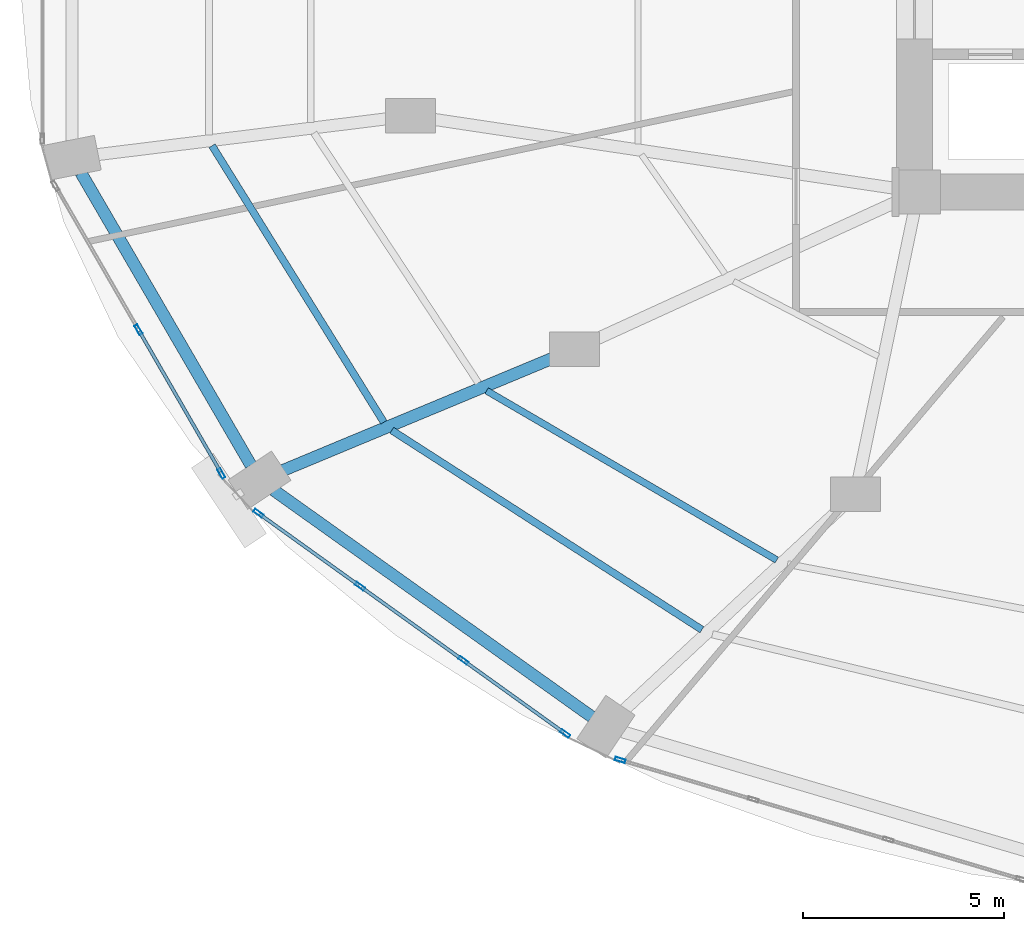
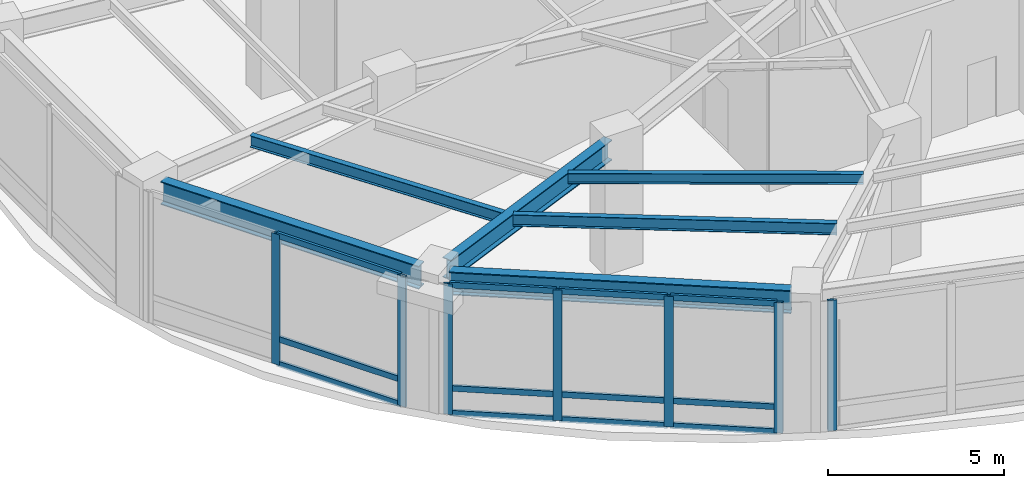
# One storey, part 2 of 24: 19 members, 6 beams, 3 elements without a shape of their own.
"""IFC4 building model written with IfcOpenShell, lengths in metres."""

import ifcopenshell
import ifcopenshell.guid

model = None  # the IFC model being written
_history = None  # IfcOwnerHistory: only IFC2X3 demands one
_inside = {}  # id of a spatial element -> (the spatial element, [elements in it])
_under = {}  # id of a project, library or spatial element -> (it, [spatial elements below it])
_declared = {}  # id of a project -> (the project, [libraries it declares])
_typed = {}  # id of a type object -> (the type object, [elements of that type])
_made_of = {}  # id of a material, layer set ... -> (it, [elements and type objects made of it])


def new_model(schema):
    """Start an empty IFC model of exactly this schema.

    Asked for "IFC4X3", IfcOpenShell would pick the latest addendum, in which some entities
    have other attributes; the version numbers below select the first issue.
    IFC2X3 requires an IfcOwnerHistory on every rooted entity: one is made here for all.
    """
    global model, _history
    if schema == "IFC4X3":
        model = ifcopenshell.file(schema_version=(4, 3, 0, 0))
    else:
        model = ifcopenshell.file(schema=schema)
    _inside.clear()
    _under.clear()
    _declared.clear()
    _typed.clear()
    _made_of.clear()
    _history = None
    if model.schema == "IFC2X3":
        org = make("IfcOrganization", Name="unknown")
        user = make(
            "IfcPersonAndOrganization",
            ThePerson=make("IfcPerson", FamilyName="unknown"),
            TheOrganization=org,
        )
        app = make(
            "IfcApplication",
            ApplicationDeveloper=org,
            Version="unknown",
            ApplicationFullName="unknown",
            ApplicationIdentifier="unknown",
        )
        _history = make(
            "IfcOwnerHistory",
            OwningUser=user,
            OwningApplication=app,
            ChangeAction="ADDED",
            CreationDate=0,
        )
    return model


def make(cls, **values):
    """One entity of the class cls with the attributes given. An attribute that is None is left unset."""
    return model.create_entity(
        cls, **{name: value for name, value in values.items() if value is not None}
    )


def rooted(cls, **values):
    """An entity with a GlobalId (a new one), such as an element, a storey or a relation."""
    return make(cls, GlobalId=ifcopenshell.guid.new(), OwnerHistory=_history, **values)


def si_unit(unit_type, name, prefix=None):
    """IfcSIUnit, for example si_unit("LENGTHUNIT", "METRE", prefix="MILLI")."""
    return make("IfcSIUnit", UnitType=unit_type, Prefix=prefix, Name=name)


def assignment(units):
    """IfcUnitAssignment: the units of a project."""
    return None if units is None else make("IfcUnitAssignment", Units=units)


def point(xyz):
    """IfcCartesianPoint."""
    return None if xyz is None else make("IfcCartesianPoint", Coordinates=xyz)


def direction(xyz):
    """IfcDirection."""
    return None if xyz is None else make("IfcDirection", DirectionRatios=xyz)


def frame(location, z_axis=None, x_axis=None):
    """IfcAxis2Placement3D, a coordinate frame: its origin and axes. An axis left out is left unset."""
    return make(
        "IfcAxis2Placement3D",
        Location=point(location),
        Axis=direction(z_axis),
        RefDirection=direction(x_axis),
    )


def frame_2d(location, x_axis=None):
    """IfcAxis2Placement2D, a coordinate frame in the plane: its origin and x axis."""
    return make(
        "IfcAxis2Placement2D", Location=point(location), RefDirection=direction(x_axis)
    )


def origin():
    """The frame at (0, 0, 0) with its axes left unset."""
    return frame((0.0, 0.0, 0.0))


def origin_2d():
    """The frame at (0, 0) in the plane with its x axis left unset."""
    return frame_2d((0.0, 0.0))


def place(relative_to, where):
    """IfcLocalPlacement: puts the frame where relative to a parent placement (None: the world)."""
    return make(
        "IfcLocalPlacement", PlacementRelTo=relative_to, RelativePlacement=where
    )


def context(
    kind, dimensions, precision=None, world=None, true_north=None, identifier=None
):
    """IfcGeometricRepresentationContext, for example the 3D "Model" context."""
    return make(
        "IfcGeometricRepresentationContext",
        ContextIdentifier=identifier,
        ContextType=kind,
        CoordinateSpaceDimension=dimensions,
        Precision=precision,
        WorldCoordinateSystem=world,
        TrueNorth=true_north,
    )


def subcontext(parent, identifier, kind, view, scale=None):
    """IfcGeometricRepresentationSubContext, for example "Body" below "Model"."""
    return make(
        "IfcGeometricRepresentationSubContext",
        ContextIdentifier=identifier,
        ContextType=kind,
        ParentContext=parent,
        TargetScale=scale,
        TargetView=view,
    )


def project(units=None, contexts=None):
    """IfcProject with its units and contexts."""
    return rooted(
        "IfcProject",
        Name="project",
        RepresentationContexts=contexts,
        UnitsInContext=assignment(units),
    )


def spatial(cls, under=None, at=None, **own):
    """A site, building, storey or space (cls), placed at a placement, below another one or the project."""
    s = rooted(cls, ObjectPlacement=at, **own)
    if under is not None:
        _under.setdefault(under.id(), (under, []))[1].append(s)
    return s


def profile(cls, at=None, kind="AREA", **sizes):
    """A parametric profile (cls). Its sizes go by their IFC names, for example OverallWidth=200.0."""
    return make(cls, ProfileType=kind, Position=at, **sizes)


def hollow_rectangle(**sizes):
    """IfcRectangleHollowProfileDef."""
    return profile("IfcRectangleHollowProfileDef", **sizes)


def i_section(**sizes):
    """IfcIShapeProfileDef."""
    return profile("IfcIShapeProfileDef", **sizes)


def extrude(swept, where, along, depth):
    """IfcExtrudedAreaSolid: the profile swept, set in the frame where, extruded along a direction by depth."""
    return make(
        "IfcExtrudedAreaSolid",
        SweptArea=swept,
        Position=where,
        ExtrudedDirection=direction(along),
        Depth=depth,
    )


def shape(context_of_items, identifier, shape_type, items):
    """IfcShapeRepresentation: the items that make up one representation, for example the "Body"."""
    return make(
        "IfcShapeRepresentation",
        ContextOfItems=context_of_items,
        RepresentationIdentifier=identifier,
        RepresentationType=shape_type,
        Items=items,
    )


def material(Name=None, Category=None):
    """IfcMaterial."""
    return make("IfcMaterial", Name=Name, Category=Category)


def layer(
    of_material, thickness, ventilated=None, Name=None, Category=None, Priority=None
):
    """IfcMaterialLayer: one layer of a wall or slab, of a material (None: an air gap)."""
    return make(
        "IfcMaterialLayer",
        Material=of_material,
        LayerThickness=thickness,
        IsVentilated=ventilated,
        Name=Name,
        Category=Category,
        Priority=Priority,
    )


def layer_set(layers, Name=None):
    """IfcMaterialLayerSet."""
    return make("IfcMaterialLayerSet", MaterialLayers=layers, LayerSetName=Name)


def material_profile(
    of_material, cross_section, Name=None, Category=None, Priority=None
):
    """IfcMaterialProfile: a cross section and its material."""
    return make(
        "IfcMaterialProfile",
        Name=Name,
        Material=of_material,
        Profile=cross_section,
        Priority=Priority,
        Category=Category,
    )


def profile_set(profiles, Name=None, composite=None):
    """IfcMaterialProfileSet."""
    return make(
        "IfcMaterialProfileSet",
        Name=Name,
        MaterialProfiles=profiles,
        CompositeProfile=composite,
    )


def made_of(thing, what):
    """Note that an element or type object is made of a material, layer set ...; save() writes the relation."""
    if what is not None:
        _made_of.setdefault(what.id(), (what, []))[1].append(thing)
    return thing


def type_object(cls, material=None, **own):
    """A type object (cls), such as IfcWallType, which elements share."""
    return made_of(rooted(cls, **own), material)


def element(
    cls,
    number,
    at=None,
    inside=None,
    cuts=None,
    type_object=None,
    material=None,
    context=None,
    identifier="Body",
    shape_type=None,
    held_by="IfcProductDefinitionShape",
    body=None,
    shapes=None,
    **own,
):
    """One element of the class cls, such as IfcWall. Its Tag is "e" and its number.

    at: its placement. inside: the storey or other place that contains it. cuts: it is an
    opening in that element (IfcRelVoidsElement). A single representation is given by context,
    identifier, shape_type and body (its items); several are given by shapes. held_by: the class
    of the entity that holds the representations. save() writes the other relations.
    """
    e = rooted(cls, Tag="e%d" % number, ObjectPlacement=at, **own)
    if body is not None:
        shapes = [shape(context, identifier, shape_type, body)]
    if shapes is not None:
        e.Representation = make(held_by, Representations=shapes)
    if inside is not None:
        _inside.setdefault(inside.id(), (inside, []))[1].append(e)
    if cuts is not None:
        rooted(
            "IfcRelVoidsElement", RelatingBuildingElement=cuts, RelatedOpeningElement=e
        )
    if type_object is not None:
        _typed.setdefault(type_object.id(), (type_object, []))[1].append(e)
    return made_of(e, material)


def aggregate(whole, parts):
    """IfcRelAggregates: a whole, such as a stair, and the parts it consists of."""
    return rooted("IfcRelAggregates", RelatingObject=whole, RelatedObjects=parts)


def save(model, path):
    """Write the relations noted so far, then the file.

    IfcRelAggregates (storeys below a building ...), IfcRelContainedInSpatialStructure (elements
    in a storey), IfcRelDefinesByType, IfcRelAssociatesMaterial and IfcRelDeclares: one each for
    every whole, place, type object, material and project.
    """
    for whole, parts in _under.values():
        aggregate(whole, parts)
    for where, things in _inside.values():
        rooted(
            "IfcRelContainedInSpatialStructure",
            RelatedElements=things,
            RelatingStructure=where,
        )
    for kind, things in _typed.values():
        rooted("IfcRelDefinesByType", RelatedObjects=things, RelatingType=kind)
    for what, things in _made_of.values():
        rooted("IfcRelAssociatesMaterial", RelatedObjects=things, RelatingMaterial=what)
    for by, libraries in _declared.values():
        rooted("IfcRelDeclares", RelatingContext=by, RelatedDefinitions=libraries)
    model.write(path)


model = new_model("IFC4")

# Units and contexts
model_context = context("Model", 3, precision=1e-05, world=origin(), true_north=direction((0.0, 1.0)))
body_context = subcontext(model_context, "Body", "Model", "MODEL_VIEW")
ifc_project = project(units=[si_unit("LENGTHUNIT", "METRE"), si_unit("AREAUNIT", "SQUARE_METRE"), si_unit("VOLUMEUNIT", "CUBIC_METRE"), si_unit("PLANEANGLEUNIT", "RADIAN"), si_unit("MASSUNIT", "GRAM", prefix="KILO")], contexts=[model_context])

# Site, building, storey
site_placement = place(None, origin())
site = spatial("IfcSite", under=ifc_project, at=site_placement, CompositionType="ELEMENT")
building_placement = place(site_placement, origin())
building = spatial("IfcBuilding", under=site, at=building_placement, Name="Lazwardi Medical Tower", CompositionType="ELEMENT")
storey_placement = place(building_placement, frame((0.0, 0.0, 6.0)))
storey = spatial("IfcBuildingStorey", under=building, at=storey_placement, Name="L01", CompositionType="ELEMENT", Elevation=6.0)

# Beams
ifc_material_1 = material(Name="Steel S355", Category="steel")
ifc_material_profile_1 = material_profile(ifc_material_1, i_section(OverallWidth=0.300048828125, OverallDepth=0.800048828125, WebThickness=0.017578125, FlangeThickness=0.032958984375, at=origin_2d()), Name="HEB 800")
ifc_profile_set_1 = profile_set([ifc_material_profile_1], Name="Steel S355")
beam_type_1 = type_object("IfcBeamType", Name="BM-RB-P1", PredefinedType="BEAM", material=ifc_profile_set_1)
beam_1_placement = place(storey_placement, frame((5.517578125, 20.877685546875, 4.1201171875), z_axis=(0.502605874383, -0.864515665003, 0.0), x_axis=(0.864515665003, 0.502605874383, 0.0)))
element("IfcBeam", 1, at=beam_1_placement, inside=storey, type_object=beam_type_1, Name="Ring beam RB-01 B13 L01", PredefinedType="BEAM", context=body_context, shape_type="SweptSolid", body=[
    extrude(i_section(OverallWidth=0.300048828125, OverallDepth=0.800048828125, WebThickness=0.017578125, FlangeThickness=0.032958984375, at=origin_2d()), origin(), (0.0, 0.0, 1.0), 8.4384765625),
])
beam_2_placement = place(storey_placement, frame((10.3251953125, 12.961181640625, 4.1201171875), z_axis=(0.814437186887, -0.580251728663, 0.0), x_axis=(0.580251728663, 0.814437186887, 0.0)))
element("IfcBeam", 2, at=beam_2_placement, inside=storey, type_object=beam_type_1, Name="Ring beam RB-01 B14 L01", PredefinedType="BEAM", context=body_context, shape_type="SweptSolid", body=[
    extrude(i_section(OverallWidth=0.300048828125, OverallDepth=0.800048828125, WebThickness=0.017578125, FlangeThickness=0.032958984375, at=origin_2d()), origin(), (0.0, 0.0, 1.0), 9.743408203125),
])
ifc_material_profile_2 = material_profile(ifc_material_1, i_section(OverallWidth=0.300048828125, OverallDepth=0.699951171875, WebThickness=0.01708984375, FlangeThickness=0.031982421875, at=origin_2d()), Name="HEB 700")
ifc_profile_set_2 = profile_set([ifc_material_profile_2], Name="Steel S355")
beam_type_2 = type_object("IfcBeamType", Name="BM-RG-P1", PredefinedType="BEAM", material=ifc_profile_set_2)
beam_3_placement = place(storey_placement, frame((10.510498046875, 13.43359375, 4.169921875), z_axis=(0.923279462658, 0.38412892866, 0.0), x_axis=(-0.38412892866, 0.923279462658, 0.0)))
element("IfcBeam", 3, at=beam_3_placement, inside=storey, type_object=beam_type_2, Name="Radial girder RG-01 R14A L01", PredefinedType="BEAM", context=body_context, shape_type="SweptSolid", body=[
    extrude(i_section(OverallWidth=0.300048828125, OverallDepth=0.699951171875, WebThickness=0.01708984375, FlangeThickness=0.031982421875, at=origin_2d()), origin(), (0.0, 0.0, 1.0), 7.52001953125),
])
ifc_material_profile_3 = material_profile(ifc_material_1, i_section(OverallWidth=0.179931640625, OverallDepth=0.39990234375, WebThickness=0.008544921875, FlangeThickness=0.013427734375, at=origin_2d()), Name="IPE 400")
ifc_profile_set_3 = profile_set([ifc_material_profile_3], Name="Steel S355")
beam_type_3 = type_object("IfcBeamType", Name="BM-SJ-01", PredefinedType="JOIST", material=ifc_profile_set_3)
beam_4_placement = place(storey_placement, frame((8.78955078125, 21.548828125, 4.320068359375), z_axis=(0.527696026634, -0.84943328371, 0.0), x_axis=(0.84943328371, 0.527696026634, 0.0)))
element("IfcBeam", 4, at=beam_4_placement, inside=storey, type_object=beam_type_3, Name="Secondary joist SJ-01 RO1 B13 L01", PredefinedType="JOIST", context=body_context, shape_type="SweptSolid", body=[
    extrude(i_section(OverallWidth=0.179931640625, OverallDepth=0.39990234375, WebThickness=0.008544921875, FlangeThickness=0.013427734375, at=origin_2d()), origin(), (0.0, 0.0, 1.0), 8.116455078125),
])
beam_5_placement = place(storey_placement, frame((13.27099609375, 14.452880859375, 4.320068359375), z_axis=(0.841096497971, -0.540885090477, 0.0), x_axis=(0.540885090477, 0.841096497971, 0.0)))
element("IfcBeam", 5, at=beam_5_placement, inside=storey, type_object=beam_type_3, Name="Secondary joist SJ-01 RO1 B14 L01", PredefinedType="JOIST", context=body_context, shape_type="SweptSolid", body=[
    extrude(i_section(OverallWidth=0.179931640625, OverallDepth=0.39990234375, WebThickness=0.008544921875, FlangeThickness=0.013427734375, at=origin_2d()), origin(), (0.0, 0.0, 1.0), 9.193603515625),
])
ifc_material_profile_4 = material_profile(ifc_material_1, i_section(OverallWidth=0.169921875, OverallDepth=0.360107421875, WebThickness=0.008056640625, FlangeThickness=0.0126953125, at=origin_2d()), Name="IPE 360")
ifc_profile_set_4 = profile_set([ifc_material_profile_4], Name="Steel S355")
beam_type_4 = type_object("IfcBeamType", Name="BM-SJ-02", PredefinedType="JOIST", material=ifc_profile_set_4)
beam_6_placement = place(storey_placement, frame((15.634765625, 15.4404296875, 4.340087890625), z_axis=(0.863708078394, -0.503992415932, 0.0), x_axis=(0.503992415932, 0.863708078394, 0.0)))
element("IfcBeam", 6, at=beam_6_placement, inside=storey, type_object=beam_type_4, Name="Secondary joist SJ-02 RO2 B14 L01", PredefinedType="JOIST", context=body_context, shape_type="SweptSolid", body=[
    extrude(i_section(OverallWidth=0.169921875, OverallDepth=0.360107421875, WebThickness=0.008056640625, FlangeThickness=0.0126953125, at=origin_2d()), origin(), (0.0, 0.0, 1.0), 8.3779296875),
])

# Curtain wall, members
ifc_material_2 = material(Name="Anodised bronze aluminium and solar control glazing", Category="aluminium")
ifc_layer = layer(ifc_material_2, 0.219970703125)
ifc_layer_set = layer_set([ifc_layer], Name="Anodised bronze aluminium and solar control glazing")
curtain_wall_type = type_object("IfcCurtainWallType", Name="CW-SYS-01", PredefinedType="NOTDEFINED", material=ifc_layer_set)
curtain_wall_1_placement = place(storey_placement, origin())
curtain_wall_1 = element("IfcCurtainWall", 7, at=curtain_wall_1_placement, inside=storey, type_object=curtain_wall_type, Name="L01 Unitised bronze curtain wall CW-01", PredefinedType="NOTDEFINED")
ifc_material_3 = material(Name="Anodised bronze aluminium", Category="aluminium")
ifc_material_profile_5 = material_profile(ifc_material_3, hollow_rectangle(XDim=0.0849609375, YDim=0.260009765625, WallThickness=0.0048828125, at=origin_2d()), Name="ALU-MULLION 260x85x5")
ifc_profile_set_5 = profile_set([ifc_material_profile_5], Name="Anodised bronze aluminium")
member_type_1 = type_object("IfcMemberType", Name="CW-MUL-02", PredefinedType="MULLION", material=ifc_profile_set_5)
member_1_placement = place(storey_placement, frame((6.95361328125, 16.9619140625, 0.0), z_axis=(0.0, 0.0, 1.0), x_axis=(0.866180607783, 0.499731082384, 0.0)))
member_1 = element("IfcMember", 8, at=member_1_placement, type_object=member_type_1, Name="CW-01 mullion 2", PredefinedType="MULLION", context=body_context, shape_type="SweptSolid", body=[
    extrude(hollow_rectangle(XDim=0.0849609375, YDim=0.260009765625, WallThickness=0.0048828125, at=origin_2d()), origin(), (0.0, 0.0, 1.0), 4.52001953125),
])
member_2_placement = place(storey_placement, frame((9.021240234375, 13.3779296875, 0.0), z_axis=(0.0, 0.0, 1.0), x_axis=(0.866180607783, 0.499731082384, 0.0)))
member_2 = element("IfcMember", 9, at=member_2_placement, type_object=member_type_1, Name="CW-01 mullion 3", PredefinedType="MULLION", context=body_context, shape_type="SweptSolid", body=[
    extrude(hollow_rectangle(XDim=0.0849609375, YDim=0.260009765625, WallThickness=0.0048828125, at=origin_2d()), origin(), (0.0, 0.0, 1.0), 4.52001953125),
])

curtain_wall_2_placement = place(storey_placement, origin())
curtain_wall_2 = element("IfcCurtainWall", 10, at=curtain_wall_2_placement, inside=storey, type_object=curtain_wall_type, Name="L01 Unitised bronze curtain wall CW-01", PredefinedType="NOTDEFINED")
member_3_placement = place(storey_placement, frame((9.943359375, 12.385498046875, 0.0), z_axis=(0.0, 0.0, 1.0), x_axis=(0.583214260584, 0.812318365083, 0.0)))
member_3 = element("IfcMember", 11, at=member_3_placement, type_object=member_type_1, Name="CW-01 mullion 1", PredefinedType="MULLION", context=body_context, shape_type="SweptSolid", body=[
    extrude(hollow_rectangle(XDim=0.0849609375, YDim=0.260009765625, WallThickness=0.0048828125, at=origin_2d()), origin(), (0.0, 0.0, 1.0), 4.52001953125),
])
member_4_placement = place(storey_placement, frame((12.482177734375, 10.562744140625, 0.0), z_axis=(0.0, 0.0, 1.0), x_axis=(0.583214260584, 0.812318365083, 0.0)))
member_4 = element("IfcMember", 12, at=member_4_placement, type_object=member_type_1, Name="CW-01 mullion 2", PredefinedType="MULLION", context=body_context, shape_type="SweptSolid", body=[
    extrude(hollow_rectangle(XDim=0.0849609375, YDim=0.260009765625, WallThickness=0.0048828125, at=origin_2d()), origin(), (0.0, 0.0, 1.0), 4.52001953125),
])
member_5_placement = place(storey_placement, frame((15.055419921875, 8.71533203125, 0.0), z_axis=(0.0, 0.0, 1.0), x_axis=(0.583214260584, 0.812318365083, 0.0)))
member_5 = element("IfcMember", 13, at=member_5_placement, type_object=member_type_1, Name="CW-01 mullion 3", PredefinedType="MULLION", context=body_context, shape_type="SweptSolid", body=[
    extrude(hollow_rectangle(XDim=0.0849609375, YDim=0.260009765625, WallThickness=0.0048828125, at=origin_2d()), origin(), (0.0, 0.0, 1.0), 4.52001953125),
])
member_6_placement = place(storey_placement, frame((17.59423828125, 6.892578125, 0.0), z_axis=(0.0, 0.0, 1.0), x_axis=(0.583214260584, 0.812318365083, 0.0)))
member_6 = element("IfcMember", 14, at=member_6_placement, type_object=member_type_1, Name="CW-01 mullion 4", PredefinedType="MULLION", context=body_context, shape_type="SweptSolid", body=[
    extrude(hollow_rectangle(XDim=0.0849609375, YDim=0.260009765625, WallThickness=0.0048828125, at=origin_2d()), origin(), (0.0, 0.0, 1.0), 4.52001953125),
])

# Curtain wall, member
curtain_wall_3_placement = place(storey_placement, origin())
curtain_wall_3 = element("IfcCurtainWall", 15, at=curtain_wall_3_placement, inside=storey, type_object=curtain_wall_type, Name="L01 Unitised bronze curtain wall CW-01", PredefinedType="NOTDEFINED")
member_7_placement = place(storey_placement, frame((18.966064453125, 6.233642578125, 0.0), z_axis=(0.0, 0.0, 1.0), x_axis=(0.285047195531, 0.958513482597, 0.0)))
member_7 = element("IfcMember", 16, at=member_7_placement, type_object=member_type_1, Name="CW-01 mullion 1", PredefinedType="MULLION", context=body_context, shape_type="SweptSolid", body=[
    extrude(hollow_rectangle(XDim=0.0849609375, YDim=0.260009765625, WallThickness=0.0048828125, at=origin_2d()), origin(), (0.0, 0.0, 1.0), 4.52001953125),
])
aggregate(curtain_wall_3, [member_7])

# Member
ifc_material_profile_6 = material_profile(ifc_material_3, hollow_rectangle(XDim=0.0849609375, YDim=0.199951171875, WallThickness=0.00439453125, at=origin_2d()), Name="ALU-TRANSOM 200x85x4.5")
ifc_profile_set_6 = profile_set([ifc_material_profile_6], Name="Anodised bronze aluminium")
member_type_2 = type_object("IfcMemberType", Name="CW-TRN-02", PredefinedType="USERDEFINED", material=ifc_profile_set_6)
member_8_placement = place(storey_placement, frame((6.974853515625, 16.925048828125, 0.04248046875), z_axis=(0.499767651026, -0.866159508975, 0.0), x_axis=(0.866159508975, 0.499767651026, 0.0)))
member_8 = element("IfcMember", 17, at=member_8_placement, type_object=member_type_2, Name="CW-01 transom 2.1", ObjectType="TRANSOM", PredefinedType="USERDEFINED", context=body_context, shape_type="SweptSolid", body=[
    extrude(hollow_rectangle(XDim=0.0849609375, YDim=0.199951171875, WallThickness=0.00439453125, at=origin_2d()), origin(), (0.0, 0.0, 1.0), 4.052734375),
])

member_9_placement = place(storey_placement, frame((6.974853515625, 16.925048828125, 0.89990234375), z_axis=(0.499767651026, -0.866159508975, 0.0), x_axis=(0.866159508975, 0.499767651026, 0.0)))
member_9 = element("IfcMember", 18, at=member_9_placement, type_object=member_type_2, Name="CW-01 transom 2.2", ObjectType="TRANSOM", PredefinedType="USERDEFINED", context=body_context, shape_type="SweptSolid", body=[
    extrude(hollow_rectangle(XDim=0.0849609375, YDim=0.199951171875, WallThickness=0.00439453125, at=origin_2d()), origin(), (0.0, 0.0, 1.0), 4.052734375),
])

member_10_placement = place(storey_placement, frame((6.974853515625, 16.925048828125, 4.4775390625), z_axis=(0.499767651026, -0.866159508975, 0.0), x_axis=(0.866159508975, 0.499767651026, 0.0)))
member_10 = element("IfcMember", 19, at=member_10_placement, type_object=member_type_2, Name="CW-01 transom 2.3", ObjectType="TRANSOM", PredefinedType="USERDEFINED", context=body_context, shape_type="SweptSolid", body=[
    extrude(hollow_rectangle(XDim=0.0849609375, YDim=0.199951171875, WallThickness=0.00439453125, at=origin_2d()), origin(), (0.0, 0.0, 1.0), 4.052734375),
])

aggregate(curtain_wall_1, [member_1, member_2, member_8, member_9, member_10])

member_11_placement = place(storey_placement, frame((9.97802734375, 12.36083984375, 0.04248046875), z_axis=(0.812314954496, -0.583219010924, 0.0), x_axis=(0.583219010924, 0.812314954496, 0.0)))
member_11 = element("IfcMember", 20, at=member_11_placement, type_object=member_type_2, Name="CW-01 transom 1.1", ObjectType="TRANSOM", PredefinedType="USERDEFINED", context=body_context, shape_type="SweptSolid", body=[
    extrude(hollow_rectangle(XDim=0.0849609375, YDim=0.199951171875, WallThickness=0.00439453125, at=origin_2d()), origin(), (0.0, 0.0, 1.0), 3.040283203125),
])

member_12_placement = place(storey_placement, frame((9.97802734375, 12.36083984375, 0.89990234375), z_axis=(0.812314954496, -0.583219010924, 0.0), x_axis=(0.583219010924, 0.812314954496, 0.0)))
member_12 = element("IfcMember", 21, at=member_12_placement, type_object=member_type_2, Name="CW-01 transom 1.2", ObjectType="TRANSOM", PredefinedType="USERDEFINED", context=body_context, shape_type="SweptSolid", body=[
    extrude(hollow_rectangle(XDim=0.0849609375, YDim=0.199951171875, WallThickness=0.00439453125, at=origin_2d()), origin(), (0.0, 0.0, 1.0), 3.040283203125),
])

member_13_placement = place(storey_placement, frame((9.97802734375, 12.36083984375, 4.4775390625), z_axis=(0.812314954496, -0.583219010924, 0.0), x_axis=(0.583219010924, 0.812314954496, 0.0)))
member_13 = element("IfcMember", 22, at=member_13_placement, type_object=member_type_2, Name="CW-01 transom 1.3", ObjectType="TRANSOM", PredefinedType="USERDEFINED", context=body_context, shape_type="SweptSolid", body=[
    extrude(hollow_rectangle(XDim=0.0849609375, YDim=0.199951171875, WallThickness=0.00439453125, at=origin_2d()), origin(), (0.0, 0.0, 1.0), 3.040283203125),
])

member_14_placement = place(storey_placement, frame((12.5166015625, 10.5380859375, 0.04248046875), z_axis=(0.81231315212, -0.583221521287, 0.0), x_axis=(0.583221521287, 0.81231315212, 0.0)))
member_14 = element("IfcMember", 23, at=member_14_placement, type_object=member_type_2, Name="CW-01 transom 2.1", ObjectType="TRANSOM", PredefinedType="USERDEFINED", context=body_context, shape_type="SweptSolid", body=[
    extrude(hollow_rectangle(XDim=0.0849609375, YDim=0.199951171875, WallThickness=0.00439453125, at=origin_2d()), origin(), (0.0, 0.0, 1.0), 3.0830078125),
])

member_15_placement = place(storey_placement, frame((12.5166015625, 10.5380859375, 0.89990234375), z_axis=(0.81231315212, -0.583221521287, 0.0), x_axis=(0.583221521287, 0.81231315212, 0.0)))
member_15 = element("IfcMember", 24, at=member_15_placement, type_object=member_type_2, Name="CW-01 transom 2.2", ObjectType="TRANSOM", PredefinedType="USERDEFINED", context=body_context, shape_type="SweptSolid", body=[
    extrude(hollow_rectangle(XDim=0.0849609375, YDim=0.199951171875, WallThickness=0.00439453125, at=origin_2d()), origin(), (0.0, 0.0, 1.0), 3.0830078125),
])

member_16_placement = place(storey_placement, frame((12.5166015625, 10.5380859375, 4.4775390625), z_axis=(0.81231315212, -0.583221521287, 0.0), x_axis=(0.583221521287, 0.81231315212, 0.0)))
member_16 = element("IfcMember", 25, at=member_16_placement, type_object=member_type_2, Name="CW-01 transom 2.3", ObjectType="TRANSOM", PredefinedType="USERDEFINED", context=body_context, shape_type="SweptSolid", body=[
    extrude(hollow_rectangle(XDim=0.0849609375, YDim=0.199951171875, WallThickness=0.00439453125, at=origin_2d()), origin(), (0.0, 0.0, 1.0), 3.0830078125),
])

member_17_placement = place(storey_placement, frame((15.090087890625, 8.6904296875, 0.04248046875), z_axis=(0.812314954496, -0.583219010924, 0.0), x_axis=(0.583219010924, 0.812314954496, 0.0)))
member_17 = element("IfcMember", 26, at=member_17_placement, type_object=member_type_2, Name="CW-01 transom 3.1", ObjectType="TRANSOM", PredefinedType="USERDEFINED", context=body_context, shape_type="SweptSolid", body=[
    extrude(hollow_rectangle(XDim=0.0849609375, YDim=0.199951171875, WallThickness=0.00439453125, at=origin_2d()), origin(), (0.0, 0.0, 1.0), 3.040283203125),
])

member_18_placement = place(storey_placement, frame((15.090087890625, 8.6904296875, 0.89990234375), z_axis=(0.812314954496, -0.583219010924, 0.0), x_axis=(0.583219010924, 0.812314954496, 0.0)))
member_18 = element("IfcMember", 27, at=member_18_placement, type_object=member_type_2, Name="CW-01 transom 3.2", ObjectType="TRANSOM", PredefinedType="USERDEFINED", context=body_context, shape_type="SweptSolid", body=[
    extrude(hollow_rectangle(XDim=0.0849609375, YDim=0.199951171875, WallThickness=0.00439453125, at=origin_2d()), origin(), (0.0, 0.0, 1.0), 3.040283203125),
])

member_19_placement = place(storey_placement, frame((15.090087890625, 8.6904296875, 4.4775390625), z_axis=(0.812314954496, -0.583219010924, 0.0), x_axis=(0.583219010924, 0.812314954496, 0.0)))
member_19 = element("IfcMember", 28, at=member_19_placement, type_object=member_type_2, Name="CW-01 transom 3.3", ObjectType="TRANSOM", PredefinedType="USERDEFINED", context=body_context, shape_type="SweptSolid", body=[
    extrude(hollow_rectangle(XDim=0.0849609375, YDim=0.199951171875, WallThickness=0.00439453125, at=origin_2d()), origin(), (0.0, 0.0, 1.0), 3.040283203125),
])

aggregate(curtain_wall_2, [member_3, member_4, member_5, member_6, member_11, member_12, member_13, member_14, member_15, member_16, member_17, member_18, member_19])

save(model, "model.ifc")
